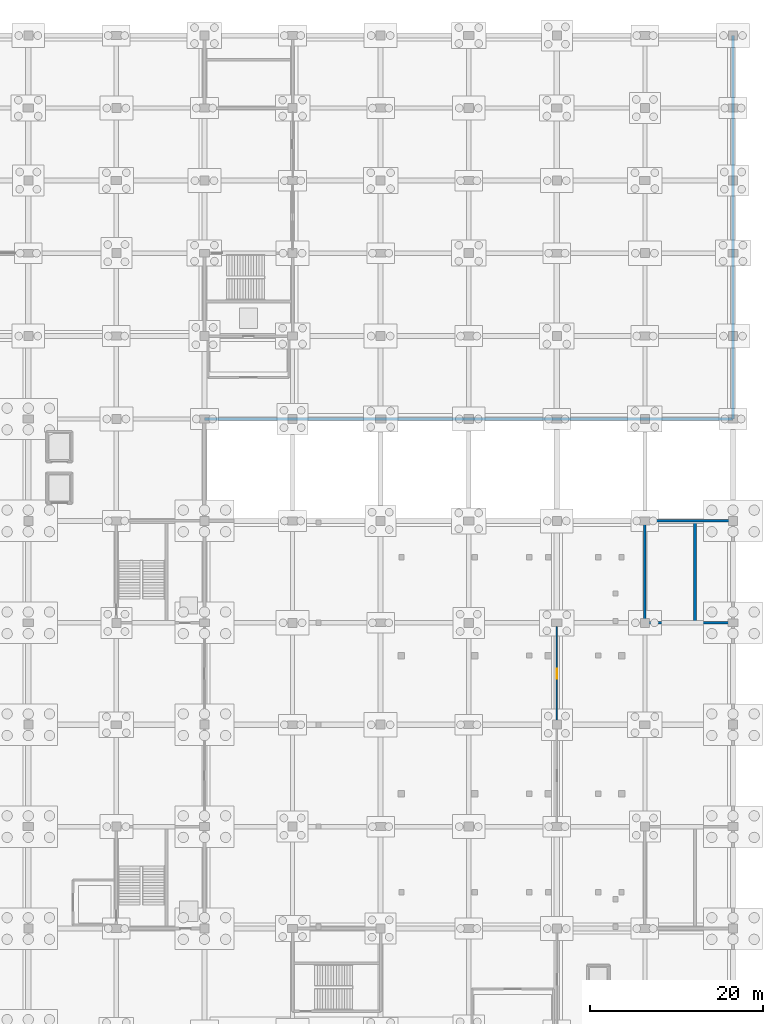
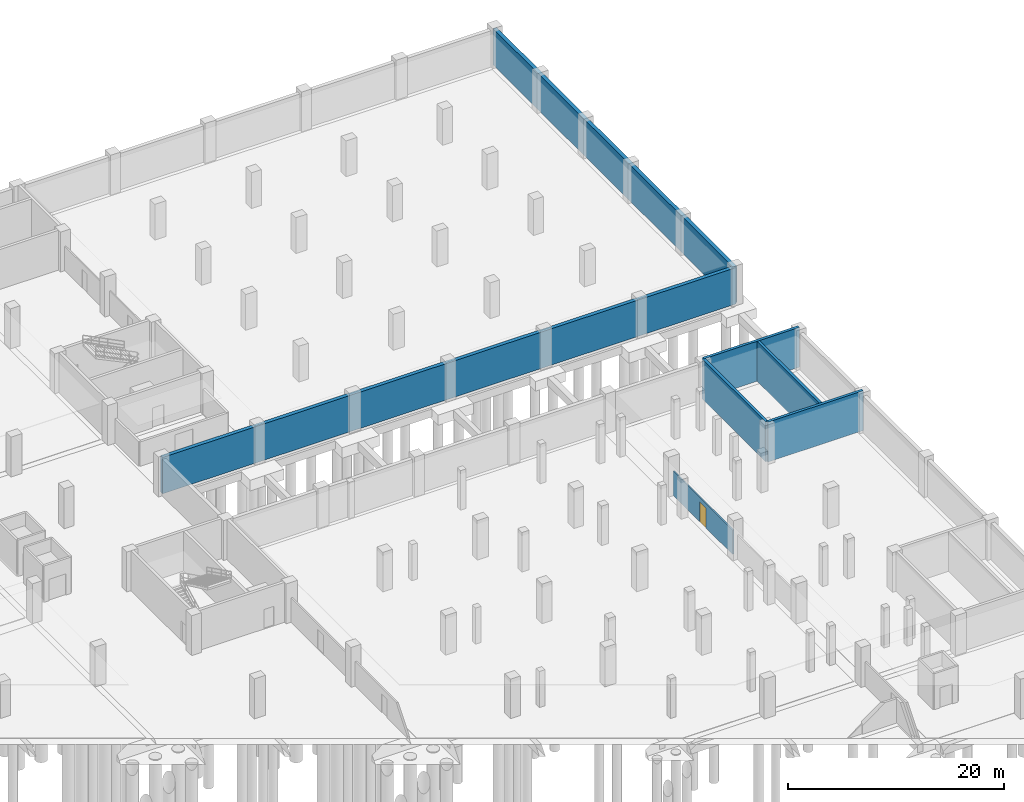
# One storey, part 40 of 52: 7 walls, 1 door, 1 opening.
"""IFC4 building model written with IfcOpenShell, lengths in metres."""

import ifcopenshell
import ifcopenshell.guid

model = None  # the IFC model being written
_history = None  # IfcOwnerHistory: only IFC2X3 demands one
_inside = {}  # id of a spatial element -> (the spatial element, [elements in it])
_under = {}  # id of a project, library or spatial element -> (it, [spatial elements below it])
_declared = {}  # id of a project -> (the project, [libraries it declares])
_typed = {}  # id of a type object -> (the type object, [elements of that type])
_made_of = {}  # id of a material, layer set ... -> (it, [elements and type objects made of it])


def new_model(schema):
    """Start an empty IFC model of exactly this schema.

    Asked for "IFC4X3", IfcOpenShell would pick the latest addendum, in which some entities
    have other attributes; the version numbers below select the first issue.
    IFC2X3 requires an IfcOwnerHistory on every rooted entity: one is made here for all.
    """
    global model, _history
    if schema == "IFC4X3":
        model = ifcopenshell.file(schema_version=(4, 3, 0, 0))
    else:
        model = ifcopenshell.file(schema=schema)
    _inside.clear()
    _under.clear()
    _declared.clear()
    _typed.clear()
    _made_of.clear()
    _history = None
    if model.schema == "IFC2X3":
        org = make("IfcOrganization", Name="unknown")
        user = make(
            "IfcPersonAndOrganization",
            ThePerson=make("IfcPerson", FamilyName="unknown"),
            TheOrganization=org,
        )
        app = make(
            "IfcApplication",
            ApplicationDeveloper=org,
            Version="unknown",
            ApplicationFullName="unknown",
            ApplicationIdentifier="unknown",
        )
        _history = make(
            "IfcOwnerHistory",
            OwningUser=user,
            OwningApplication=app,
            ChangeAction="ADDED",
            CreationDate=0,
        )
    return model


def make(cls, **values):
    """One entity of the class cls with the attributes given. An attribute that is None is left unset."""
    return model.create_entity(
        cls, **{name: value for name, value in values.items() if value is not None}
    )


def rooted(cls, **values):
    """An entity with a GlobalId (a new one), such as an element, a storey or a relation."""
    return make(cls, GlobalId=ifcopenshell.guid.new(), OwnerHistory=_history, **values)


def si_unit(unit_type, name, prefix=None):
    """IfcSIUnit, for example si_unit("LENGTHUNIT", "METRE", prefix="MILLI")."""
    return make("IfcSIUnit", UnitType=unit_type, Prefix=prefix, Name=name)


def assignment(units):
    """IfcUnitAssignment: the units of a project."""
    return None if units is None else make("IfcUnitAssignment", Units=units)


def point(xyz):
    """IfcCartesianPoint."""
    return None if xyz is None else make("IfcCartesianPoint", Coordinates=xyz)


def direction(xyz):
    """IfcDirection."""
    return None if xyz is None else make("IfcDirection", DirectionRatios=xyz)


def frame(location, z_axis=None, x_axis=None):
    """IfcAxis2Placement3D, a coordinate frame: its origin and axes. An axis left out is left unset."""
    return make(
        "IfcAxis2Placement3D",
        Location=point(location),
        Axis=direction(z_axis),
        RefDirection=direction(x_axis),
    )


def frame_2d(location, x_axis=None):
    """IfcAxis2Placement2D, a coordinate frame in the plane: its origin and x axis."""
    return make(
        "IfcAxis2Placement2D", Location=point(location), RefDirection=direction(x_axis)
    )


def origin():
    """The frame at (0, 0, 0) with its axes left unset."""
    return frame((0.0, 0.0, 0.0))


def place(relative_to, where):
    """IfcLocalPlacement: puts the frame where relative to a parent placement (None: the world)."""
    return make(
        "IfcLocalPlacement", PlacementRelTo=relative_to, RelativePlacement=where
    )


def context(
    kind, dimensions, precision=None, world=None, true_north=None, identifier=None
):
    """IfcGeometricRepresentationContext, for example the 3D "Model" context."""
    return make(
        "IfcGeometricRepresentationContext",
        ContextIdentifier=identifier,
        ContextType=kind,
        CoordinateSpaceDimension=dimensions,
        Precision=precision,
        WorldCoordinateSystem=world,
        TrueNorth=true_north,
    )


def subcontext(parent, identifier, kind, view, scale=None):
    """IfcGeometricRepresentationSubContext, for example "Body" below "Model"."""
    return make(
        "IfcGeometricRepresentationSubContext",
        ContextIdentifier=identifier,
        ContextType=kind,
        ParentContext=parent,
        TargetScale=scale,
        TargetView=view,
    )


def project(units=None, contexts=None):
    """IfcProject with its units and contexts."""
    return rooted(
        "IfcProject",
        Name="project",
        RepresentationContexts=contexts,
        UnitsInContext=assignment(units),
    )


def spatial(cls, under=None, at=None, **own):
    """A site, building, storey or space (cls), placed at a placement, below another one or the project."""
    s = rooted(cls, ObjectPlacement=at, **own)
    if under is not None:
        _under.setdefault(under.id(), (under, []))[1].append(s)
    return s


def profile(cls, at=None, kind="AREA", **sizes):
    """A parametric profile (cls). Its sizes go by their IFC names, for example OverallWidth=200.0."""
    return make(cls, ProfileType=kind, Position=at, **sizes)


def rectangle(**sizes):
    """IfcRectangleProfileDef."""
    return profile("IfcRectangleProfileDef", **sizes)


def extrude(swept, where, along, depth):
    """IfcExtrudedAreaSolid: the profile swept, set in the frame where, extruded along a direction by depth."""
    return make(
        "IfcExtrudedAreaSolid",
        SweptArea=swept,
        Position=where,
        ExtrudedDirection=direction(along),
        Depth=depth,
    )


def shape(context_of_items, identifier, shape_type, items):
    """IfcShapeRepresentation: the items that make up one representation, for example the "Body"."""
    return make(
        "IfcShapeRepresentation",
        ContextOfItems=context_of_items,
        RepresentationIdentifier=identifier,
        RepresentationType=shape_type,
        Items=items,
    )


def material(Name=None, Category=None):
    """IfcMaterial."""
    return make("IfcMaterial", Name=Name, Category=Category)


def layer(
    of_material, thickness, ventilated=None, Name=None, Category=None, Priority=None
):
    """IfcMaterialLayer: one layer of a wall or slab, of a material (None: an air gap)."""
    return make(
        "IfcMaterialLayer",
        Material=of_material,
        LayerThickness=thickness,
        IsVentilated=ventilated,
        Name=Name,
        Category=Category,
        Priority=Priority,
    )


def layer_set(layers, Name=None):
    """IfcMaterialLayerSet."""
    return make("IfcMaterialLayerSet", MaterialLayers=layers, LayerSetName=Name)


def made_of(thing, what):
    """Note that an element or type object is made of a material, layer set ...; save() writes the relation."""
    if what is not None:
        _made_of.setdefault(what.id(), (what, []))[1].append(thing)
    return thing


def type_object(cls, material=None, **own):
    """A type object (cls), such as IfcWallType, which elements share."""
    return made_of(rooted(cls, **own), material)


def element(
    cls,
    number,
    at=None,
    inside=None,
    cuts=None,
    type_object=None,
    material=None,
    context=None,
    identifier="Body",
    shape_type=None,
    held_by="IfcProductDefinitionShape",
    body=None,
    shapes=None,
    **own,
):
    """One element of the class cls, such as IfcWall. Its Tag is "e" and its number.

    at: its placement. inside: the storey or other place that contains it. cuts: it is an
    opening in that element (IfcRelVoidsElement). A single representation is given by context,
    identifier, shape_type and body (its items); several are given by shapes. held_by: the class
    of the entity that holds the representations. save() writes the other relations.
    """
    e = rooted(cls, Tag="e%d" % number, ObjectPlacement=at, **own)
    if body is not None:
        shapes = [shape(context, identifier, shape_type, body)]
    if shapes is not None:
        e.Representation = make(held_by, Representations=shapes)
    if inside is not None:
        _inside.setdefault(inside.id(), (inside, []))[1].append(e)
    if cuts is not None:
        rooted(
            "IfcRelVoidsElement", RelatingBuildingElement=cuts, RelatedOpeningElement=e
        )
    if type_object is not None:
        _typed.setdefault(type_object.id(), (type_object, []))[1].append(e)
    return made_of(e, material)


def fill(opening, filler):
    """IfcRelFillsElement: the door or window that sits in an opening."""
    return rooted(
        "IfcRelFillsElement",
        RelatingOpeningElement=opening,
        RelatedBuildingElement=filler,
    )


def aggregate(whole, parts):
    """IfcRelAggregates: a whole, such as a stair, and the parts it consists of."""
    return rooted("IfcRelAggregates", RelatingObject=whole, RelatedObjects=parts)


def save(model, path):
    """Write the relations noted so far, then the file.

    IfcRelAggregates (storeys below a building ...), IfcRelContainedInSpatialStructure (elements
    in a storey), IfcRelDefinesByType, IfcRelAssociatesMaterial and IfcRelDeclares: one each for
    every whole, place, type object, material and project.
    """
    for whole, parts in _under.values():
        aggregate(whole, parts)
    for where, things in _inside.values():
        rooted(
            "IfcRelContainedInSpatialStructure",
            RelatedElements=things,
            RelatingStructure=where,
        )
    for kind, things in _typed.values():
        rooted("IfcRelDefinesByType", RelatedObjects=things, RelatingType=kind)
    for what, things in _made_of.values():
        rooted("IfcRelAssociatesMaterial", RelatedObjects=things, RelatingMaterial=what)
    for by, libraries in _declared.values():
        rooted("IfcRelDeclares", RelatingContext=by, RelatedDefinitions=libraries)
    model.write(path)


model = new_model("IFC4")

# Units and contexts
model_context = context("Model", 3, precision=1e-05, world=origin(), true_north=direction((0.0, 1.0)))
body_context = subcontext(model_context, "Body", "Model", "MODEL_VIEW")
ifc_project = project(units=[si_unit("LENGTHUNIT", "METRE"), si_unit("AREAUNIT", "SQUARE_METRE"), si_unit("VOLUMEUNIT", "CUBIC_METRE"), si_unit("PLANEANGLEUNIT", "RADIAN"), si_unit("MASSUNIT", "GRAM", prefix="KILO")], contexts=[model_context])

# Site, building, storey
site_placement = place(None, origin())
site = spatial("IfcSite", under=ifc_project, at=site_placement, CompositionType="ELEMENT")
building_placement = place(site_placement, origin())
building = spatial("IfcBuilding", under=site, at=building_placement, Name="Brelvane Convention Centre", CompositionType="ELEMENT")
storey_placement = place(building_placement, frame((0.0, 0.0, -4.5)))
storey = spatial("IfcBuildingStorey", under=building, at=storey_placement, Name="B1", CompositionType="ELEMENT", Elevation=-4.5)

# Wall, opening, door
ifc_material_1 = material(Name="Fire-Rated Acoustic Gypsum Partition Board Grade A")
ifc_layer_1 = layer(ifc_material_1, 0.135009765625)
ifc_layer_set_1 = layer_set([ifc_layer_1], Name="Fire-Rated Acoustic Gypsum Partition Board Grade A")
wall_type_1 = type_object("IfcWallType", Name="Interior Wall IW-PT-135", PredefinedType="PARTITIONING", material=ifc_layer_set_1)
wall_1_placement = place(storey_placement, frame((204.0, 64.60009765625, 0.0), z_axis=(0.0, 0.0, 1.0), x_axis=(0.0, 1.0, 0.0)))
wall_1 = element("IfcWall", 1, at=wall_1_placement, inside=storey, type_object=wall_type_1, Name="Interior Partition B1-PUMP2", PredefinedType="PARTITIONING", context=body_context, shape_type="SweptSolid", body=[
    extrude(rectangle(XDim=11.0, YDim=0.135009765625, at=frame_2d((5.5, 0.0))), origin(), (0.0, 0.0, 1.0), 2.75),
])
opening_placement = place(wall_1_placement, frame((4.909912109375, 0.0, 0.0)))
opening = element("IfcOpeningElement", 2, at=opening_placement, cuts=wall_1, Name="Opening DR-IN-14L", PredefinedType="OPENING", context=body_context, shape_type="SweptSolid", body=[
    extrude(rectangle(XDim=1.179931640625, YDim=2.219970703125, at=frame_2d((0.58984375, 1.10986328125))), frame((0.0, 0.077392578125, 0.0), z_axis=(0.0, -1.0, 0.0), x_axis=(1.0, 0.0, 0.0)), (0.0, 0.0, 1.0), 0.155029296875),
])
ifc_material_2 = material(Name="Galvanised Hollow-Metal Fire Door Steel E250", Category="steel")
door_type = type_object("IfcDoorType", Name="Interior Door DR-IN-14L", OperationType="NOTDEFINED", PredefinedType="DOOR", material=ifc_material_2)
door_placement = place(opening_placement, origin())
door = element("IfcDoor", 3, at=door_placement, inside=storey, type_object=door_type, Name="Interior Door B1-PUMP2 (DR-IN-14L)", OperationType="SINGLE_SWING_LEFT", OverallHeight=2.219970703125, OverallWidth=1.179931640625, PredefinedType="DOOR", context=body_context, shape_type="SweptSolid", body=[
    extrude(rectangle(XDim=1.179931640625, YDim=2.219970703125, at=frame_2d((0.58984375, 1.10986328125))), frame((0.0, 0.02490234375, 0.0), z_axis=(0.0, -1.0, 0.0), x_axis=(1.0, 0.0, 0.0)), (0.0, 0.0, 1.0), 0.050048828125),
])
fill(opening, door)

# Walls
ifc_material_3 = material(Name="Concrete M50", Category="concrete")
ifc_layer_2 = layer(ifc_material_3, 0.300048828125)
ifc_layer_set_2 = layer_set([ifc_layer_2], Name="Concrete M50")
wall_type_2 = type_object("IfcWallType", Name="Structural Wall WL-CORE-300", PredefinedType="SHEAR", material=ifc_layer_set_2)
for number, where, z_axis, x_axis, name in (
    (4, (214.199951171875, 76.0, 0.0), (0.0, 0.0, 1.0), (1.0, 0.0, 0.0), "Stair Core ST-16 Wall S (B1)"),
    (5, (214.199951171875, 87.800048828125, 0.0), (0.0, 0.0, 1.0), (1.0, 0.0, 0.0), "Stair Core ST-16 Wall N (B1)"),
):
    element("IfcWall", number, at=place(storey_placement, frame(where, z_axis=z_axis, x_axis=x_axis)), inside=storey, type_object=wall_type_2, Name=name, PredefinedType="SHEAR", context=body_context, shape_type="SweptSolid", body=[
        extrude(rectangle(XDim=10.199951171875, YDim=0.300048828125, at=frame_2d((5.10009765625, 0.0))), origin(), (0.0, 0.0, 1.0), 4.5),
    ])
wall_2_placement = place(storey_placement, frame((214.199951171875, 76.0, 0.0), z_axis=(0.0, 0.0, 1.0), x_axis=(0.0, 1.0, 0.0)))
element("IfcWall", 6, at=wall_2_placement, inside=storey, type_object=wall_type_2, Name="Stair Core ST-16 Wall W (B1)", PredefinedType="SHEAR", context=body_context, shape_type="SweptSolid", body=[
    extrude(rectangle(XDim=11.800048828125, YDim=0.300048828125, at=frame_2d((5.89990234375, 0.0))), origin(), (0.0, 0.0, 1.0), 4.5),
])
wall_3_placement = place(storey_placement, frame((220.0, 76.14990234375, 0.0), z_axis=(0.0, 0.0, 1.0), x_axis=(0.0, 1.0, 0.0)))
element("IfcWall", 7, at=wall_3_placement, inside=storey, type_object=wall_type_2, Name="Stair Core ST-16 Well Wall (B1)", PredefinedType="SHEAR", context=body_context, shape_type="SweptSolid", body=[
    extrude(rectangle(XDim=11.5, YDim=0.300048828125, at=frame_2d((5.75, 0.0))), origin(), (0.0, 0.0, 1.0), 4.5),
])
ifc_material_4 = material(Name="Concrete M40", Category="concrete")
ifc_layer_3 = layer(ifc_material_4, 0.39990234375)
ifc_layer_set_3 = layer_set([ifc_layer_3], Name="Concrete M40")
wall_type_3 = type_object("IfcWallType", Name="Structural Wall WL-RET-400", PredefinedType="SOLIDWALL", material=ifc_layer_set_3)
wall_4_placement = place(storey_placement, frame((163.199951171875, 99.60009765625, 0.0), z_axis=(0.0, 0.0, 1.0), x_axis=(1.0, 0.0, 0.0)))
element("IfcWall", 8, at=wall_4_placement, inside=storey, type_object=wall_type_3, Name="Basement Retaining Wall E-NOTCH3", PredefinedType="SOLIDWALL", context=body_context, shape_type="SweptSolid", body=[
    extrude(rectangle(XDim=61.199951171875, YDim=0.39990234375, at=frame_2d((30.60009765625, 0.0))), origin(), (0.0, 0.0, 1.0), 4.10009765625),
])
wall_5_placement = place(storey_placement, frame((224.39990234375, 99.60009765625, 0.0), z_axis=(0.0, 0.0, 1.0), x_axis=(0.0, 1.0, 0.0)))
element("IfcWall", 9, at=wall_5_placement, inside=storey, type_object=wall_type_3, Name="Basement Retaining Wall E-NORTH", PredefinedType="SOLIDWALL", context=body_context, shape_type="SweptSolid", body=[
    extrude(rectangle(XDim=44.39990234375, YDim=0.39990234375, at=frame_2d((22.199951171875, 0.0))), origin(), (0.0, 0.0, 1.0), 4.10009765625),
])

save(model, "model.ifc")
